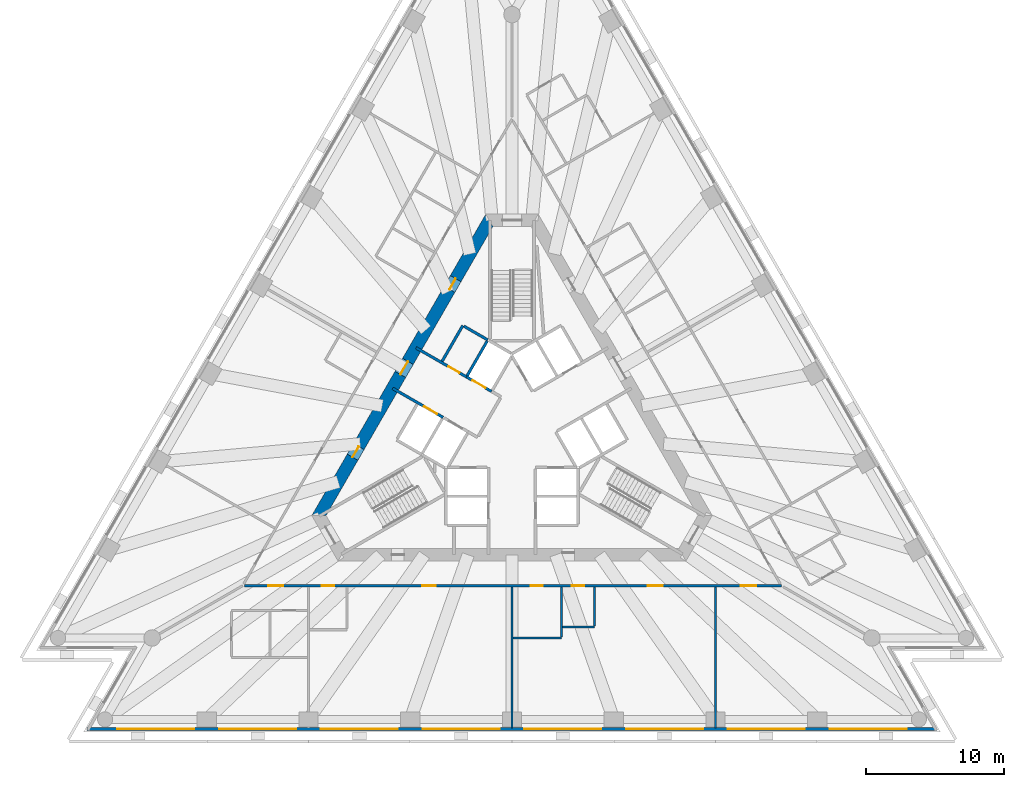
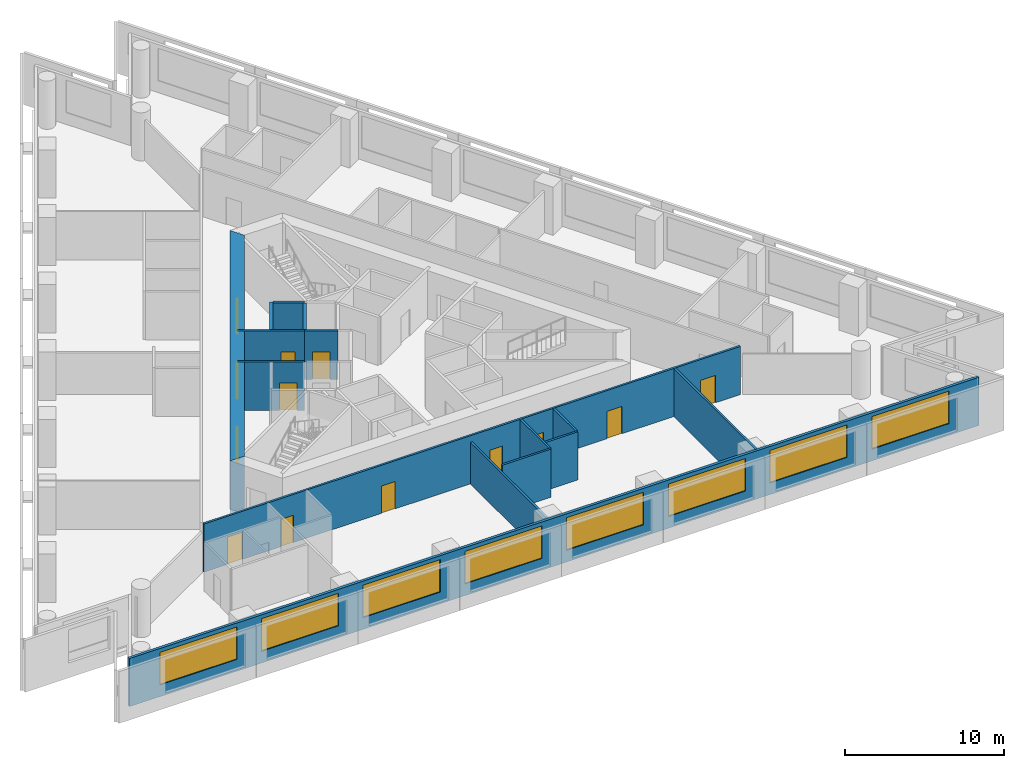
# One storey, part 4 of 11: 15 walls, 13 doors, 8 windows, 21 openings.
"""IFC4 building model written with IfcOpenShell, lengths in metres."""

from ifc_helpers import new_model, si_unit, direction, frame, frame_2d, origin, place, context, subcontext, project, spatial, polyline, rectangle, outline, extrude, material, layer, layer_set, layer_usage, type_object, element, fill, save


model = new_model("IFC4")

# Units and contexts
model_context = context("Model", 3, precision=1e-05, world=origin(), true_north=direction((0.0, 1.0)))
body_context = subcontext(model_context, "Body", "Model", "MODEL_VIEW")
ifc_project = project(units=[si_unit("LENGTHUNIT", "METRE"), si_unit("AREAUNIT", "SQUARE_METRE"), si_unit("VOLUMEUNIT", "CUBIC_METRE"), si_unit("PLANEANGLEUNIT", "RADIAN"), si_unit("MASSUNIT", "GRAM", prefix="KILO")], contexts=[model_context])

# Site, building, storey
site_placement = place(None, origin())
site = spatial("IfcSite", under=ifc_project, at=site_placement, CompositionType="ELEMENT")
building_placement = place(site_placement, origin())
building = spatial("IfcBuilding", under=site, at=building_placement, Name="Triada Interchange Tower", CompositionType="ELEMENT")
storey_placement = place(building_placement, frame((0.0, 0.0, 67.300048828125)))
storey = spatial("IfcBuildingStorey", under=building, at=storey_placement, Name="L14", CompositionType="ELEMENT", Elevation=67.300048828125)

# Wall, opening, door
ifc_material_1 = material(Name="Concrete C30/37", Category="concrete")
ifc_layer_1 = layer(ifc_material_1, 0.199951171875)
ifc_layer_set_1 = layer_set([ifc_layer_1], Name="CORE WALL 200 EI 180")
wall_type_1 = type_object("IfcWallType", Name="CORE WALL 200 EI 180", PredefinedType="SOLIDWALL", material=ifc_layer_set_1)
wall_1_placement = place(storey_placement, frame((-8.669921875, 3.04296875, 0.0), z_axis=(0.0, 0.0, 1.0), x_axis=(0.866029956157, -0.499992114976, 0.0)))
wall_1 = element("IfcWall", 1, at=wall_1_placement, inside=storey, type_object=wall_type_1, Name="Wall L12 69", PredefinedType="SOLIDWALL", context=body_context, shape_type="SweptSolid", body=[
    extrude(rectangle(XDim=4.23193359375, YDim=0.199951171875, at=frame_2d((2.115966796875, 0.0))), origin(), (0.0, 0.0, 1.0), 3.699951171875),
])
opening_1_placement = place(wall_1_placement, frame((2.6298828125, 0.0, 0.0)))
opening_1 = element("IfcOpeningElement", 2, at=opening_1_placement, cuts=wall_1, Name="Opening LD-SV1", PredefinedType="OPENING", context=body_context, shape_type="SweptSolid", body=[
    extrude(rectangle(XDim=1.10009765625, YDim=2.10009765625, at=frame_2d((0.550048828125, 1.050048828125))), frame((0.0, 0.10986328125, 0.0), z_axis=(0.0, -1.0, 0.0), x_axis=(1.0, 0.0, 0.0)), (0.0, 0.0, 1.0), 0.219970703125),
])
ifc_material_2 = material(Name="Steel S235 door leaf", Category="steel")
door_type_1 = type_object("IfcDoorType", Name="LIFT LANDING DOOR 1100 EI 120", OperationType="SLIDING_TO_LEFT", PredefinedType="DOOR", material=ifc_material_2)
door_1_placement = place(opening_1_placement, origin())
door_1 = element("IfcDoor", 3, at=door_1_placement, inside=storey, type_object=door_type_1, Name="SV1 landing door L14", OperationType="SLIDING_TO_LEFT", OverallHeight=2.10009765625, OverallWidth=1.10009765625, PredefinedType="DOOR", context=body_context, shape_type="SweptSolid", body=[
    extrude(rectangle(XDim=1.10009765625, YDim=2.10009765625, at=frame_2d((0.550048828125, 1.050048828125))), frame((0.0, 0.02490234375, 0.0), z_axis=(0.0, -1.0, 0.0), x_axis=(1.0, 0.0, 0.0)), (0.0, 0.0, 1.0), 0.050048828125),
])
fill(opening_1, door_1)

wall_2_placement = place(storey_placement, frame((-6.969970703125, 5.987060546875, 0.0), z_axis=(0.0, 0.0, 1.0), x_axis=(0.866029956157, -0.499992114976, 0.0)))
wall_2 = element("IfcWall", 4, at=wall_2_placement, inside=storey, type_object=wall_type_1, Name="Wall L12 71", PredefinedType="SOLIDWALL", context=body_context, shape_type="SweptSolid", body=[
    extrude(rectangle(XDim=4.23193359375, YDim=0.199951171875, at=frame_2d((2.115966796875, 0.0))), origin(), (0.0, 0.0, 1.0), 3.699951171875),
])
opening_2_placement = place(wall_2_placement, frame((2.72998046875, 0.0, 0.0)))
opening_2 = element("IfcOpeningElement", 5, at=opening_2_placement, cuts=wall_2, Name="Opening D12-10", PredefinedType="OPENING", context=body_context, shape_type="SweptSolid", body=[
    extrude(rectangle(XDim=0.89990234375, YDim=2.10009765625, at=frame_2d((0.449951171875, 1.050048828125))), frame((0.0, 0.10986328125, 0.0), z_axis=(0.0, -1.0, 0.0), x_axis=(1.0, 0.0, 0.0)), (0.0, 0.0, 1.0), 0.219970703125),
])
door_type_2 = type_object("IfcDoorType", Name="SERVICE DOOR 900 EI2 90-C5S200", OperationType="NOTDEFINED", PredefinedType="DOOR", material=ifc_material_2)
door_2_placement = place(opening_2_placement, origin())
door_2 = element("IfcDoor", 6, at=door_2_placement, inside=storey, type_object=door_type_2, Name="Door D12-10 L14", OperationType="SINGLE_SWING_LEFT", OverallHeight=2.10009765625, OverallWidth=0.89990234375, PredefinedType="DOOR", context=body_context, shape_type="SweptSolid", body=[
    extrude(rectangle(XDim=0.89990234375, YDim=2.10009765625, at=frame_2d((0.449951171875, 1.050048828125))), frame((0.0, 0.02490234375, 0.0), z_axis=(0.0, -1.0, 0.0), x_axis=(1.0, 0.0, 0.0)), (0.0, 0.0, 1.0), 0.050048828125),
])
fill(opening_2, door_2)

# Walls
wall_3_placement = place(storey_placement, frame((-5.075927734375, 5.009033203125, 0.0), z_axis=(0.0, 0.0, 1.0), x_axis=(0.50002537861, 0.866010750942, 0.0)))
element("IfcWall", 7, at=wall_3_placement, inside=storey, type_object=wall_type_1, Name="Wall L12 73", PredefinedType="SOLIDWALL", context=body_context, shape_type="SweptSolid", body=[
    extrude(rectangle(XDim=2.999755859375, YDim=0.199951171875, at=frame_2d((1.5, 0.0))), origin(), (0.0, 0.0, 1.0), 3.699951171875),
])
wall_4_placement = place(storey_placement, frame((-3.489013671875, 7.556884765625, 0.0), z_axis=(0.0, 0.0, 1.0), x_axis=(0.866010750942, -0.50002537861, 0.0)))
element("IfcWall", 8, at=wall_4_placement, inside=storey, type_object=wall_type_1, Name="Wall L12 74", PredefinedType="SOLIDWALL", context=body_context, shape_type="SweptSolid", body=[
    extrude(rectangle(XDim=2.0, YDim=0.199951171875, at=frame_2d((1.0, 0.0))), origin(), (0.0, 0.0, 1.0), 3.699951171875),
])

# Wall, opening, door
wall_5_placement = place(storey_placement, frame((-3.30908203125, 3.873046875, 0.0), z_axis=(0.0, 0.0, 1.0), x_axis=(0.866098583652, -0.499873227325, 0.0)))
wall_5 = element("IfcWall", 9, at=wall_5_placement, inside=storey, type_object=wall_type_1, Name="Shaft wall FF2 L12 80", PredefinedType="SOLIDWALL", context=body_context, shape_type="SweptSolid", body=[
    extrude(rectangle(XDim=2.1025390625, YDim=0.199951171875, at=frame_2d((1.05126953125, 0.0))), origin(), (0.0, 0.0, 1.0), 3.699951171875),
])
opening_3_placement = place(wall_5_placement, frame((0.501953125, 0.0, 0.0)))
opening_3 = element("IfcOpeningElement", 10, at=opening_3_placement, cuts=wall_5, Name="Opening LD-FF2", PredefinedType="OPENING", context=body_context, shape_type="SweptSolid", body=[
    extrude(rectangle(XDim=1.10009765625, YDim=2.10009765625, at=frame_2d((0.550048828125, 1.050048828125))), frame((0.0, 0.10986328125, 0.0), z_axis=(0.0, -1.0, 0.0), x_axis=(1.0, 0.0, 0.0)), (0.0, 0.0, 1.0), 0.219970703125),
])
door_3_placement = place(opening_3_placement, origin())
door_3 = element("IfcDoor", 11, at=door_3_placement, inside=storey, type_object=door_type_1, Name="FF2 landing door L14", OperationType="SLIDING_TO_LEFT", OverallHeight=2.10009765625, OverallWidth=1.10009765625, PredefinedType="DOOR", context=body_context, shape_type="SweptSolid", body=[
    extrude(rectangle(XDim=1.10009765625, YDim=2.10009765625, at=frame_2d((0.550048828125, 1.050048828125))), frame((0.0, 0.02490234375, 0.0), z_axis=(0.0, -1.0, 0.0), x_axis=(1.0, 0.0, 0.0)), (0.0, 0.0, 1.0), 0.050048828125),
])
fill(opening_3, door_3)

# Wall
wall_6_placement = place(storey_placement, frame((-3.257080078125, 3.958984375, 0.0), z_axis=(0.0, 0.0, 1.0), x_axis=(0.50012328804, 0.865954211699, 0.0)))
element("IfcWall", 12, at=wall_6_placement, inside=storey, type_object=wall_type_1, Name="Shaft wall FF2 L12 81", PredefinedType="SOLIDWALL", context=body_context, shape_type="SweptSolid", body=[
    extrude(rectangle(XDim=2.899658203125, YDim=0.199951171875, at=frame_2d((1.44970703125, 0.0))), origin(), (0.0, 0.0, 1.0), 3.699951171875),
])

# Wall, openings, doors
ifc_material_3 = material(Name="Concrete C70/85", Category="concrete")
ifc_layer_2 = layer(ifc_material_3, 0.89990234375)
ifc_layer_set_2 = layer_set([ifc_layer_2], Name="Core wall A 900")
wall_type_2 = type_object("IfcWallType", Name="Core wall A 900", PredefinedType="SHEAR", material=ifc_layer_set_2)
wall_7_placement = place(storey_placement, frame((-1.64501953125, 15.25, -0.300048828125), z_axis=(0.0, 0.0, 1.0), x_axis=(-0.500026485275, -0.866010111964, 0.0)))
wall_7 = element("IfcWall", 13, at=wall_7_placement, inside=storey, type_object=wall_type_2, Name="Core wall WA02 L14", PredefinedType="SHEAR", context=body_context, shape_type="SweptSolid", body=[
    extrude(outline(polyline([(-0.260009765625, -0.449951171875), (1.685302734375, -0.449951171875), (3.63037109375, -0.44970703125), (5.57568359375, -0.44970703125), (7.52099609375, -0.44970703125), (9.466064453125, -0.449462890625), (11.411376953125, -0.449462890625), (13.356689453125, -0.449462890625), (15.302001953125, -0.449462890625), (17.2470703125, -0.44921875), (19.1923828125, -0.44921875), (21.1376953125, -0.44921875), (23.082763671875, -0.448974609375), (25.028076171875, -0.448974609375), (24.509033203125, 0.449951171875), (22.643798828125, 0.449951171875), (20.7783203125, 0.44970703125), (18.9130859375, 0.44970703125), (17.0478515625, 0.44970703125), (15.182373046875, 0.449462890625), (13.317138671875, 0.449462890625), (11.451904296875, 0.449462890625), (9.586669921875, 0.449462890625), (7.72119140625, 0.44921875), (5.85595703125, 0.44921875), (3.99072265625, 0.44921875), (2.125244140625, 0.448974609375), (0.260009765625, 0.448974609375), (-0.260009765625, -0.449951171875)])), origin(), (0.0, 0.0, 1.0), 4.0),
])
opening_4_placement = place(wall_7_placement, frame((11.833984375, 0.0, 0.300048828125)))
opening_4 = element("IfcOpeningElement", 14, at=opening_4_placement, cuts=wall_7, Name="Opening D12-44", PredefinedType="OPENING", context=body_context, shape_type="SweptSolid", body=[
    extrude(rectangle(XDim=1.10009765625, YDim=2.10009765625, at=frame_2d((0.550048828125, 1.050048828125))), frame((0.0, 0.4599609375, 0.0), z_axis=(0.0, -1.0, 0.0), x_axis=(1.0, 0.0, 0.0)), (0.0, 0.0, 1.0), 0.919921875),
])
opening_5_placement = place(wall_7_placement, frame((18.97607421875, 0.0, 0.300048828125)))
opening_5 = element("IfcOpeningElement", 15, at=opening_5_placement, cuts=wall_7, Name="Opening D12-45", PredefinedType="OPENING", context=body_context, shape_type="SweptSolid", body=[
    extrude(rectangle(XDim=0.89990234375, YDim=2.10009765625, at=frame_2d((0.449951171875, 1.050048828125))), frame((0.0, 0.4599609375, 0.0), z_axis=(0.0, -1.0, 0.0), x_axis=(1.0, 0.0, 0.0)), (0.0, 0.0, 1.0), 0.919921875),
])
opening_6_placement = place(wall_7_placement, frame((4.89208984375, 0.0, 0.300048828125)))
opening_6 = element("IfcOpeningElement", 16, at=opening_6_placement, cuts=wall_7, Name="Opening D12-48", PredefinedType="OPENING", context=body_context, shape_type="SweptSolid", body=[
    extrude(rectangle(XDim=0.89990234375, YDim=2.10009765625, at=frame_2d((0.449951171875, 1.050048828125))), frame((0.0, 0.4599609375, 0.0), z_axis=(0.0, -1.0, 0.0), x_axis=(1.0, 0.0, 0.0)), (0.0, 0.0, 1.0), 0.919921875),
])
door_type_3 = type_object("IfcDoorType", Name="FIRE LOBBY DOOR 1100 EI2 90-C5S200", OperationType="NOTDEFINED", PredefinedType="DOOR", material=ifc_material_2)
door_4_placement = place(opening_4_placement, origin())
door_4 = element("IfcDoor", 17, at=door_4_placement, inside=storey, type_object=door_type_3, Name="Door D12-44 L14", OperationType="SINGLE_SWING_LEFT", OverallHeight=2.10009765625, OverallWidth=1.10009765625, PredefinedType="DOOR", context=body_context, shape_type="SweptSolid", body=[
    extrude(rectangle(XDim=1.10009765625, YDim=2.10009765625, at=frame_2d((0.550048828125, 1.050048828125))), frame((0.0, 0.02490234375, 0.0), z_axis=(0.0, -1.0, 0.0), x_axis=(1.0, 0.0, 0.0)), (0.0, 0.0, 1.0), 0.050048828125),
])
fill(opening_4, door_4)
door_type_4 = type_object("IfcDoorType", Name="SERVICE DOOR 900 EI2 45-C5S200", OperationType="NOTDEFINED", PredefinedType="DOOR", material=ifc_material_2)
door_5_placement = place(opening_5_placement, origin())
door_5 = element("IfcDoor", 18, at=door_5_placement, inside=storey, type_object=door_type_4, Name="Door D12-45 L14", OperationType="SINGLE_SWING_LEFT", OverallHeight=2.10009765625, OverallWidth=0.89990234375, PredefinedType="DOOR", context=body_context, shape_type="SweptSolid", body=[
    extrude(rectangle(XDim=0.89990234375, YDim=2.10009765625, at=frame_2d((0.449951171875, 1.050048828125))), frame((0.0, 0.02490234375, 0.0), z_axis=(0.0, -1.0, 0.0), x_axis=(1.0, 0.0, 0.0)), (0.0, 0.0, 1.0), 0.050048828125),
])
fill(opening_5, door_5)
door_6_placement = place(opening_6_placement, origin())
door_6 = element("IfcDoor", 19, at=door_6_placement, inside=storey, type_object=door_type_4, Name="Door D12-48 L14", OperationType="SINGLE_SWING_LEFT", OverallHeight=2.10009765625, OverallWidth=0.89990234375, PredefinedType="DOOR", context=body_context, shape_type="SweptSolid", body=[
    extrude(rectangle(XDim=0.89990234375, YDim=2.10009765625, at=frame_2d((0.449951171875, 1.050048828125))), frame((0.0, 0.02490234375, 0.0), z_axis=(0.0, -1.0, 0.0), x_axis=(1.0, 0.0, 0.0)), (0.0, 0.0, 1.0), 0.050048828125),
])
fill(opening_6, door_6)

# Wall, openings, windows
ifc_material_4 = material(Name="Cement board")
ifc_layer_3 = layer(ifc_material_4, 0.02001953125, Name="Cement board cladding")
ifc_material_5 = material(Name="Sheathing board")
ifc_layer_4 = layer(ifc_material_5, 0.014892578125, Name="Sheathing board")
ifc_material_6 = material(Name="Mineral wool")
ifc_layer_5 = layer(ifc_material_6, 0.14990234375, Name="Mineral wool between steel studs")
ifc_material_7 = material(Name="Gypsum board")
ifc_layer_6 = layer(ifc_material_7, 0.014892578125, Name="Plasterboard lining")
ifc_layer_set_3 = layer_set([ifc_layer_3, ifc_layer_4, ifc_layer_5, ifc_layer_6], Name="External wall 200")
ifc_layer_usage = layer_usage(ifc_layer_set_3, "AXIS2", "POSITIVE", -0.10009765625)
wall_type_3 = type_object("IfcWallType", Name="External wall 200", PredefinedType="ELEMENTEDWALL", material=ifc_layer_set_3)
wall_8_placement = place(storey_placement, frame((-30.868896484375, -21.715087890625, 0.0), z_axis=(0.0, 0.0, 1.0), x_axis=(1.0, 0.0, 0.0)))
wall_8 = element("IfcWall", 20, at=wall_8_placement, inside=storey, type_object=wall_type_3, material=ifc_layer_usage, Name="External wall L14 S", PredefinedType="ELEMENTEDWALL", context=body_context, shape_type="SweptSolid", body=[
    extrude(rectangle(XDim=61.718017578125, YDim=0.199951171875, at=frame_2d((30.85888671875, 0.0))), origin(), (0.0, 0.0, 1.0), 3.699951171875),
])
opening_7_placement = place(wall_8_placement, frame((2.198974609375, 0.0, 0.89990234375)))
opening_7 = element("IfcOpeningElement", 21, at=opening_7_placement, cuts=wall_8, Name="Opening WA11", PredefinedType="OPENING", context=body_context, shape_type="SweptSolid", body=[
    extrude(rectangle(XDim=5.60009765625, YDim=2.5, at=frame_2d((2.800048828125, 1.25))), frame((0.0, 0.10986328125, 0.0), z_axis=(0.0, -1.0, 0.0), x_axis=(1.0, 0.0, 0.0)), (0.0, 0.0, 1.0), 0.219970703125),
])
opening_8_placement = place(wall_8_placement, frame((9.590087890625, 0.0, 0.89990234375)))
opening_8 = element("IfcOpeningElement", 22, at=opening_8_placement, cuts=wall_8, Name="Opening WA12", PredefinedType="OPENING", context=body_context, shape_type="SweptSolid", body=[
    extrude(rectangle(XDim=5.60009765625, YDim=2.5, at=frame_2d((2.800048828125, 1.25))), frame((0.0, 0.10986328125, 0.0), z_axis=(0.0, -1.0, 0.0), x_axis=(1.0, 0.0, 0.0)), (0.0, 0.0, 1.0), 0.219970703125),
])
opening_9_placement = place(wall_8_placement, frame((16.98193359375, 0.0, 0.89990234375)))
opening_9 = element("IfcOpeningElement", 23, at=opening_9_placement, cuts=wall_8, Name="Opening WA13", PredefinedType="OPENING", context=body_context, shape_type="SweptSolid", body=[
    extrude(rectangle(XDim=5.60009765625, YDim=2.5, at=frame_2d((2.800048828125, 1.25))), frame((0.0, 0.10986328125, 0.0), z_axis=(0.0, -1.0, 0.0), x_axis=(1.0, 0.0, 0.0)), (0.0, 0.0, 1.0), 0.219970703125),
])
opening_10_placement = place(wall_8_placement, frame((24.373046875, 0.0, 0.89990234375)))
opening_10 = element("IfcOpeningElement", 24, at=opening_10_placement, cuts=wall_8, Name="Opening WA14", PredefinedType="OPENING", context=body_context, shape_type="SweptSolid", body=[
    extrude(rectangle(XDim=5.60009765625, YDim=2.5, at=frame_2d((2.800048828125, 1.25))), frame((0.0, 0.10986328125, 0.0), z_axis=(0.0, -1.0, 0.0), x_axis=(1.0, 0.0, 0.0)), (0.0, 0.0, 1.0), 0.219970703125),
])
opening_11_placement = place(wall_8_placement, frame((31.764892578125, 0.0, 0.89990234375)))
opening_11 = element("IfcOpeningElement", 25, at=opening_11_placement, cuts=wall_8, Name="Opening WA15", PredefinedType="OPENING", context=body_context, shape_type="SweptSolid", body=[
    extrude(rectangle(XDim=5.60009765625, YDim=2.5, at=frame_2d((2.800048828125, 1.25))), frame((0.0, 0.10986328125, 0.0), z_axis=(0.0, -1.0, 0.0), x_axis=(1.0, 0.0, 0.0)), (0.0, 0.0, 1.0), 0.219970703125),
])
opening_12_placement = place(wall_8_placement, frame((39.156005859375, 0.0, 0.89990234375)))
opening_12 = element("IfcOpeningElement", 26, at=opening_12_placement, cuts=wall_8, Name="Opening WA16", PredefinedType="OPENING", context=body_context, shape_type="SweptSolid", body=[
    extrude(rectangle(XDim=5.60009765625, YDim=2.5, at=frame_2d((2.800048828125, 1.25))), frame((0.0, 0.10986328125, 0.0), z_axis=(0.0, -1.0, 0.0), x_axis=(1.0, 0.0, 0.0)), (0.0, 0.0, 1.0), 0.219970703125),
])
opening_13_placement = place(wall_8_placement, frame((46.548095703125, 0.0, 0.89990234375)))
opening_13 = element("IfcOpeningElement", 27, at=opening_13_placement, cuts=wall_8, Name="Opening WA17", PredefinedType="OPENING", context=body_context, shape_type="SweptSolid", body=[
    extrude(rectangle(XDim=5.60009765625, YDim=2.5, at=frame_2d((2.800048828125, 1.25))), frame((0.0, 0.10986328125, 0.0), z_axis=(0.0, -1.0, 0.0), x_axis=(1.0, 0.0, 0.0)), (0.0, 0.0, 1.0), 0.219970703125),
])
opening_14_placement = place(wall_8_placement, frame((53.93896484375, 0.0, 0.89990234375)))
opening_14 = element("IfcOpeningElement", 28, at=opening_14_placement, cuts=wall_8, Name="Opening WA18", PredefinedType="OPENING", context=body_context, shape_type="SweptSolid", body=[
    extrude(rectangle(XDim=5.60009765625, YDim=2.5, at=frame_2d((2.800048828125, 1.25))), frame((0.0, 0.10986328125, 0.0), z_axis=(0.0, -1.0, 0.0), x_axis=(1.0, 0.0, 0.0)), (0.0, 0.0, 1.0), 0.219970703125),
])
ifc_material_8 = material(Name="Double glazed aluminium window", Category="aluminium")
window_type = type_object("IfcWindowType", Name="Ribbon window A face", PartitioningType="SINGLE_PANEL", PredefinedType="WINDOW", material=ifc_material_8)
window_1_placement = place(opening_7_placement, origin())
window_1 = element("IfcWindow", 29, at=window_1_placement, inside=storey, type_object=window_type, Name="Window L14 S 1", OverallHeight=2.5, OverallWidth=5.60009765625, PartitioningType="SINGLE_PANEL", PredefinedType="WINDOW", context=body_context, shape_type="SweptSolid", body=[
    extrude(rectangle(XDim=5.60009765625, YDim=2.5, at=frame_2d((2.800048828125, 1.25))), frame((0.0, 0.030029296875, 0.0), z_axis=(0.0, -1.0, 0.0), x_axis=(1.0, 0.0, 0.0)), (0.0, 0.0, 1.0), 0.06005859375),
])
fill(opening_7, window_1)
window_2_placement = place(opening_8_placement, origin())
window_2 = element("IfcWindow", 30, at=window_2_placement, inside=storey, type_object=window_type, Name="Window L14 S 2", OverallHeight=2.5, OverallWidth=5.60009765625, PartitioningType="SINGLE_PANEL", PredefinedType="WINDOW", context=body_context, shape_type="SweptSolid", body=[
    extrude(rectangle(XDim=5.60009765625, YDim=2.5, at=frame_2d((2.800048828125, 1.25))), frame((0.0, 0.030029296875, 0.0), z_axis=(0.0, -1.0, 0.0), x_axis=(1.0, 0.0, 0.0)), (0.0, 0.0, 1.0), 0.06005859375),
])
fill(opening_8, window_2)
window_3_placement = place(opening_9_placement, origin())
window_3 = element("IfcWindow", 31, at=window_3_placement, inside=storey, type_object=window_type, Name="Window L14 S 3", OverallHeight=2.5, OverallWidth=5.60009765625, PartitioningType="SINGLE_PANEL", PredefinedType="WINDOW", context=body_context, shape_type="SweptSolid", body=[
    extrude(rectangle(XDim=5.60009765625, YDim=2.5, at=frame_2d((2.800048828125, 1.25))), frame((0.0, 0.030029296875, 0.0), z_axis=(0.0, -1.0, 0.0), x_axis=(1.0, 0.0, 0.0)), (0.0, 0.0, 1.0), 0.06005859375),
])
fill(opening_9, window_3)
window_4_placement = place(opening_10_placement, origin())
window_4 = element("IfcWindow", 32, at=window_4_placement, inside=storey, type_object=window_type, Name="Window L14 S 4", OverallHeight=2.5, OverallWidth=5.60009765625, PartitioningType="SINGLE_PANEL", PredefinedType="WINDOW", context=body_context, shape_type="SweptSolid", body=[
    extrude(rectangle(XDim=5.60009765625, YDim=2.5, at=frame_2d((2.800048828125, 1.25))), frame((0.0, 0.030029296875, 0.0), z_axis=(0.0, -1.0, 0.0), x_axis=(1.0, 0.0, 0.0)), (0.0, 0.0, 1.0), 0.06005859375),
])
fill(opening_10, window_4)
window_5_placement = place(opening_11_placement, origin())
window_5 = element("IfcWindow", 33, at=window_5_placement, inside=storey, type_object=window_type, Name="Window L14 S 5", OverallHeight=2.5, OverallWidth=5.60009765625, PartitioningType="SINGLE_PANEL", PredefinedType="WINDOW", context=body_context, shape_type="SweptSolid", body=[
    extrude(rectangle(XDim=5.60009765625, YDim=2.5, at=frame_2d((2.800048828125, 1.25))), frame((0.0, 0.030029296875, 0.0), z_axis=(0.0, -1.0, 0.0), x_axis=(1.0, 0.0, 0.0)), (0.0, 0.0, 1.0), 0.06005859375),
])
fill(opening_11, window_5)
window_6_placement = place(opening_12_placement, origin())
window_6 = element("IfcWindow", 34, at=window_6_placement, inside=storey, type_object=window_type, Name="Window L14 S 6", OverallHeight=2.5, OverallWidth=5.60009765625, PartitioningType="SINGLE_PANEL", PredefinedType="WINDOW", context=body_context, shape_type="SweptSolid", body=[
    extrude(rectangle(XDim=5.60009765625, YDim=2.5, at=frame_2d((2.800048828125, 1.25))), frame((0.0, 0.030029296875, 0.0), z_axis=(0.0, -1.0, 0.0), x_axis=(1.0, 0.0, 0.0)), (0.0, 0.0, 1.0), 0.06005859375),
])
fill(opening_12, window_6)
window_7_placement = place(opening_13_placement, origin())
window_7 = element("IfcWindow", 35, at=window_7_placement, inside=storey, type_object=window_type, Name="Window L14 S 7", OverallHeight=2.5, OverallWidth=5.60009765625, PartitioningType="SINGLE_PANEL", PredefinedType="WINDOW", context=body_context, shape_type="SweptSolid", body=[
    extrude(rectangle(XDim=5.60009765625, YDim=2.5, at=frame_2d((2.800048828125, 1.25))), frame((0.0, 0.030029296875, 0.0), z_axis=(0.0, -1.0, 0.0), x_axis=(1.0, 0.0, 0.0)), (0.0, 0.0, 1.0), 0.06005859375),
])
fill(opening_13, window_7)
window_8_placement = place(opening_14_placement, origin())
window_8 = element("IfcWindow", 36, at=window_8_placement, inside=storey, type_object=window_type, Name="Window L14 S 8", OverallHeight=2.5, OverallWidth=5.60009765625, PartitioningType="SINGLE_PANEL", PredefinedType="WINDOW", context=body_context, shape_type="SweptSolid", body=[
    extrude(rectangle(XDim=5.60009765625, YDim=2.5, at=frame_2d((2.800048828125, 1.25))), frame((0.0, 0.030029296875, 0.0), z_axis=(0.0, -1.0, 0.0), x_axis=(1.0, 0.0, 0.0)), (0.0, 0.0, 1.0), 0.06005859375),
])
fill(opening_14, window_8)

# Wall, openings, doors
ifc_material_9 = material(Name="Gypsum board partition")
ifc_layer_7 = layer(ifc_material_9, 0.14990234375)
ifc_layer_set_4 = layer_set([ifc_layer_7], Name="PARTITION 150 EI 180")
wall_type_4 = type_object("IfcWallType", Name="PARTITION 150 EI 180", PredefinedType="PARTITIONING", material=ifc_layer_set_4)
wall_9_placement = place(storey_placement, frame((-19.422119140625, -11.300048828125, 0.0), z_axis=(0.0, 0.0, 1.0), x_axis=(1.0, 0.0, 0.0)))
wall_9 = element("IfcWall", 37, at=wall_9_placement, inside=storey, type_object=wall_type_4, Name="Wall L12 5", PredefinedType="PARTITIONING", context=body_context, shape_type="SweptSolid", body=[
    extrude(rectangle(XDim=38.994140625, YDim=0.14990234375, at=frame_2d((19.4970703125, 0.0))), origin(), (0.0, 0.0, 1.0), 3.699951171875),
])
opening_15_placement = place(wall_9_placement, frame((1.699951171875, 0.0, 0.0)))
opening_15 = element("IfcOpeningElement", 38, at=opening_15_placement, cuts=wall_9, Name="Opening D12-11", PredefinedType="OPENING", context=body_context, shape_type="SweptSolid", body=[
    extrude(rectangle(XDim=1.10009765625, YDim=2.10009765625, at=frame_2d((0.550048828125, 1.050048828125))), frame((0.0, 0.0849609375, 0.0), z_axis=(0.0, -1.0, 0.0), x_axis=(1.0, 0.0, 0.0)), (0.0, 0.0, 1.0), 0.169921875),
])
opening_16_placement = place(wall_9_placement, frame((12.888916015625, 0.0, 0.0)))
opening_16 = element("IfcOpeningElement", 39, at=opening_16_placement, cuts=wall_9, Name="Opening D12-14", PredefinedType="OPENING", context=body_context, shape_type="SweptSolid", body=[
    extrude(rectangle(XDim=1.0, YDim=2.10009765625, at=frame_2d((0.5, 1.050048828125))), frame((0.0, 0.0849609375, 0.0), z_axis=(0.0, -1.0, 0.0), x_axis=(1.0, 0.0, 0.0)), (0.0, 0.0, 1.0), 0.169921875),
])
opening_17_placement = place(wall_9_placement, frame((5.589111328125, 0.0, 0.0)))
opening_17 = element("IfcOpeningElement", 40, at=opening_17_placement, cuts=wall_9, Name="Opening D12-15", PredefinedType="OPENING", context=body_context, shape_type="SweptSolid", body=[
    extrude(rectangle(XDim=0.89990234375, YDim=2.10009765625, at=frame_2d((0.449951171875, 1.050048828125))), frame((0.0, 0.0849609375, 0.0), z_axis=(0.0, -1.0, 0.0), x_axis=(1.0, 0.0, 0.0)), (0.0, 0.0, 1.0), 0.169921875),
])
opening_18_placement = place(wall_9_placement, frame((29.27197265625, 0.0, 0.0)))
opening_18 = element("IfcOpeningElement", 41, at=opening_18_placement, cuts=wall_9, Name="Opening D12-16", PredefinedType="OPENING", context=body_context, shape_type="SweptSolid", body=[
    extrude(rectangle(XDim=1.10009765625, YDim=2.10009765625, at=frame_2d((0.550048828125, 1.050048828125))), frame((0.0, 0.0849609375, 0.0), z_axis=(0.0, -1.0, 0.0), x_axis=(1.0, 0.0, 0.0)), (0.0, 0.0, 1.0), 0.169921875),
])
opening_19_placement = place(wall_9_placement, frame((20.77197265625, 0.0, 0.0)))
opening_19 = element("IfcOpeningElement", 42, at=opening_19_placement, cuts=wall_9, Name="Opening D12-17", PredefinedType="OPENING", context=body_context, shape_type="SweptSolid", body=[
    extrude(rectangle(XDim=0.89990234375, YDim=2.10009765625, at=frame_2d((0.449951171875, 1.050048828125))), frame((0.0, 0.0849609375, 0.0), z_axis=(0.0, -1.0, 0.0), x_axis=(1.0, 0.0, 0.0)), (0.0, 0.0, 1.0), 0.169921875),
])
opening_20_placement = place(wall_9_placement, frame((23.77197265625, 0.0, 0.0)))
opening_20 = element("IfcOpeningElement", 43, at=opening_20_placement, cuts=wall_9, Name="Opening D12-18", PredefinedType="OPENING", context=body_context, shape_type="SweptSolid", body=[
    extrude(rectangle(XDim=0.89990234375, YDim=2.10009765625, at=frame_2d((0.449951171875, 1.050048828125))), frame((0.0, 0.0849609375, 0.0), z_axis=(0.0, -1.0, 0.0), x_axis=(1.0, 0.0, 0.0)), (0.0, 0.0, 1.0), 0.169921875),
])
opening_21_placement = place(wall_9_placement, frame((36.054931640625, 0.0, 0.0)))
opening_21 = element("IfcOpeningElement", 44, at=opening_21_placement, cuts=wall_9, Name="Opening D12-19", PredefinedType="OPENING", context=body_context, shape_type="SweptSolid", body=[
    extrude(rectangle(XDim=1.10009765625, YDim=2.10009765625, at=frame_2d((0.550048828125, 1.050048828125))), frame((0.0, 0.0849609375, 0.0), z_axis=(0.0, -1.0, 0.0), x_axis=(1.0, 0.0, 0.0)), (0.0, 0.0, 1.0), 0.169921875),
])
door_type_5 = type_object("IfcDoorType", Name="ROOM DOOR 1000 EI2 90-C5S200", OperationType="NOTDEFINED", PredefinedType="DOOR", material=ifc_material_2)
door_7_placement = place(opening_16_placement, origin())
door_7 = element("IfcDoor", 45, at=door_7_placement, inside=storey, type_object=door_type_5, Name="Door D12-14 L14", OperationType="SINGLE_SWING_LEFT", OverallHeight=2.10009765625, OverallWidth=1.0, PredefinedType="DOOR", context=body_context, shape_type="SweptSolid", body=[
    extrude(rectangle(XDim=1.0, YDim=2.10009765625, at=frame_2d((0.5, 1.050048828125))), frame((0.0, 0.02490234375, 0.0), z_axis=(0.0, -1.0, 0.0), x_axis=(1.0, 0.0, 0.0)), (0.0, 0.0, 1.0), 0.050048828125),
])
fill(opening_16, door_7)
door_type_6 = type_object("IfcDoorType", Name="ROOM DOOR 900 EI2 90-C5S200", OperationType="NOTDEFINED", PredefinedType="DOOR", material=ifc_material_2)
door_8_placement = place(opening_17_placement, origin())
door_8 = element("IfcDoor", 46, at=door_8_placement, inside=storey, type_object=door_type_6, Name="Door D12-15 L14", OperationType="SINGLE_SWING_RIGHT", OverallHeight=2.10009765625, OverallWidth=0.89990234375, PredefinedType="DOOR", context=body_context, shape_type="SweptSolid", body=[
    extrude(rectangle(XDim=0.89990234375, YDim=2.10009765625, at=frame_2d((0.449951171875, 1.050048828125))), frame((0.0, 0.02490234375, 0.0), z_axis=(0.0, -1.0, 0.0), x_axis=(1.0, 0.0, 0.0)), (0.0, 0.0, 1.0), 0.050048828125),
])
fill(opening_17, door_8)
door_9_placement = place(opening_19_placement, origin())
door_9 = element("IfcDoor", 47, at=door_9_placement, inside=storey, type_object=door_type_6, Name="Door D12-17 L14", OperationType="SINGLE_SWING_RIGHT", OverallHeight=2.10009765625, OverallWidth=0.89990234375, PredefinedType="DOOR", context=body_context, shape_type="SweptSolid", body=[
    extrude(rectangle(XDim=0.89990234375, YDim=2.10009765625, at=frame_2d((0.449951171875, 1.050048828125))), frame((0.0, 0.02490234375, 0.0), z_axis=(0.0, -1.0, 0.0), x_axis=(1.0, 0.0, 0.0)), (0.0, 0.0, 1.0), 0.050048828125),
])
fill(opening_19, door_9)
door_10_placement = place(opening_20_placement, origin())
door_10 = element("IfcDoor", 48, at=door_10_placement, inside=storey, type_object=door_type_6, Name="Door D12-18 L14", OperationType="SINGLE_SWING_RIGHT", OverallHeight=2.10009765625, OverallWidth=0.89990234375, PredefinedType="DOOR", context=body_context, shape_type="SweptSolid", body=[
    extrude(rectangle(XDim=0.89990234375, YDim=2.10009765625, at=frame_2d((0.449951171875, 1.050048828125))), frame((0.0, 0.02490234375, 0.0), z_axis=(0.0, -1.0, 0.0), x_axis=(1.0, 0.0, 0.0)), (0.0, 0.0, 1.0), 0.050048828125),
])
fill(opening_20, door_10)
door_type_7 = type_object("IfcDoorType", Name="TENANCY ENTRANCE DOOR 1100 EI2 90-C5S200", OperationType="NOTDEFINED", PredefinedType="DOOR", material=ifc_material_2)
door_11_placement = place(opening_15_placement, origin())
door_11 = element("IfcDoor", 49, at=door_11_placement, inside=storey, type_object=door_type_7, Name="Door D12-11 L14", OperationType="SINGLE_SWING_RIGHT", OverallHeight=2.10009765625, OverallWidth=1.10009765625, PredefinedType="DOOR", context=body_context, shape_type="SweptSolid", body=[
    extrude(rectangle(XDim=1.10009765625, YDim=2.10009765625, at=frame_2d((0.550048828125, 1.050048828125))), frame((0.0, 0.02490234375, 0.0), z_axis=(0.0, -1.0, 0.0), x_axis=(1.0, 0.0, 0.0)), (0.0, 0.0, 1.0), 0.050048828125),
])
fill(opening_15, door_11)
door_12_placement = place(opening_18_placement, origin())
door_12 = element("IfcDoor", 50, at=door_12_placement, inside=storey, type_object=door_type_7, Name="Door D12-16 L14", OperationType="SINGLE_SWING_RIGHT", OverallHeight=2.10009765625, OverallWidth=1.10009765625, PredefinedType="DOOR", context=body_context, shape_type="SweptSolid", body=[
    extrude(rectangle(XDim=1.10009765625, YDim=2.10009765625, at=frame_2d((0.550048828125, 1.050048828125))), frame((0.0, 0.02490234375, 0.0), z_axis=(0.0, -1.0, 0.0), x_axis=(1.0, 0.0, 0.0)), (0.0, 0.0, 1.0), 0.050048828125),
])
fill(opening_18, door_12)
door_13_placement = place(opening_21_placement, origin())
door_13 = element("IfcDoor", 51, at=door_13_placement, inside=storey, type_object=door_type_7, Name="Door D12-19 L14", OperationType="SINGLE_SWING_LEFT", OverallHeight=2.10009765625, OverallWidth=1.10009765625, PredefinedType="DOOR", context=body_context, shape_type="SweptSolid", body=[
    extrude(rectangle(XDim=1.10009765625, YDim=2.10009765625, at=frame_2d((0.550048828125, 1.050048828125))), frame((0.0, 0.02490234375, 0.0), z_axis=(0.0, -1.0, 0.0), x_axis=(1.0, 0.0, 0.0)), (0.0, 0.0, 1.0), 0.050048828125),
])
fill(opening_21, door_13)

# Walls
wall_10_placement = place(storey_placement, frame((0.0, -21.635009765625, 0.0), z_axis=(0.0, 0.0, 1.0), x_axis=(0.0, 1.0, 0.0)))
element("IfcWall", 52, at=wall_10_placement, inside=storey, type_object=wall_type_4, Name="Wall L12 18", PredefinedType="PARTITIONING", context=body_context, shape_type="SweptSolid", body=[
    extrude(rectangle(XDim=10.260009765625, YDim=0.14990234375, at=frame_2d((5.1298828125, 0.0))), origin(), (0.0, 0.0, 1.0), 3.199951171875),
])
wall_11_placement = place(storey_placement, frame((0.074951171875, -15.10009765625, 0.0), z_axis=(0.0, 0.0, 1.0), x_axis=(1.0, 0.0, 0.0)))
element("IfcWall", 53, at=wall_11_placement, inside=storey, type_object=wall_type_4, Name="Wall L12 20", PredefinedType="PARTITIONING", context=body_context, shape_type="SweptSolid", body=[
    extrude(rectangle(XDim=3.525146484375, YDim=0.14990234375, at=frame_2d((1.7626953125, 0.0))), origin(), (0.0, 0.0, 1.0), 3.699951171875),
])
wall_12_placement = place(storey_placement, frame((3.60009765625, -15.02490234375, 0.0), z_axis=(0.0, 0.0, 1.0), x_axis=(0.0, 1.0, 0.0)))
element("IfcWall", 54, at=wall_12_placement, inside=storey, type_object=wall_type_4, Name="Wall L12 21", PredefinedType="PARTITIONING", context=body_context, shape_type="SweptSolid", body=[
    extrude(rectangle(XDim=3.64990234375, YDim=0.14990234375, at=frame_2d((1.824951171875, 0.0))), origin(), (0.0, 0.0, 1.0), 3.699951171875),
])
wall_13_placement = place(storey_placement, frame((3.675048828125, -14.300048828125, 0.0), z_axis=(0.0, 0.0, 1.0), x_axis=(1.0, 0.0, 0.0)))
element("IfcWall", 55, at=wall_13_placement, inside=storey, type_object=wall_type_4, Name="Wall L12 24", PredefinedType="PARTITIONING", context=body_context, shape_type="SweptSolid", body=[
    extrude(rectangle(XDim=2.324951171875, YDim=0.14990234375, at=frame_2d((1.16259765625, 0.0))), origin(), (0.0, 0.0, 1.0), 3.699951171875),
])
wall_14_placement = place(storey_placement, frame((6.0, -14.22509765625, 0.0), z_axis=(0.0, 0.0, 1.0), x_axis=(0.0, 1.0, 0.0)))
element("IfcWall", 56, at=wall_14_placement, inside=storey, type_object=wall_type_4, Name="Wall L12 25", PredefinedType="PARTITIONING", context=body_context, shape_type="SweptSolid", body=[
    extrude(rectangle(XDim=2.85009765625, YDim=0.14990234375, at=frame_2d((1.425048828125, 0.0))), origin(), (0.0, 0.0, 1.0), 3.699951171875),
])
wall_15_placement = place(storey_placement, frame((14.782958984375, -21.635009765625, 0.0), z_axis=(0.0, 0.0, 1.0), x_axis=(0.0, 1.0, 0.0)))
element("IfcWall", 57, at=wall_15_placement, inside=storey, type_object=wall_type_4, Name="Wall L12 30", PredefinedType="PARTITIONING", context=body_context, shape_type="SweptSolid", body=[
    extrude(rectangle(XDim=10.260009765625, YDim=0.14990234375, at=frame_2d((5.1298828125, 0.0))), origin(), (0.0, 0.0, 1.0), 3.699951171875),
])

save(model, "model.ifc")
